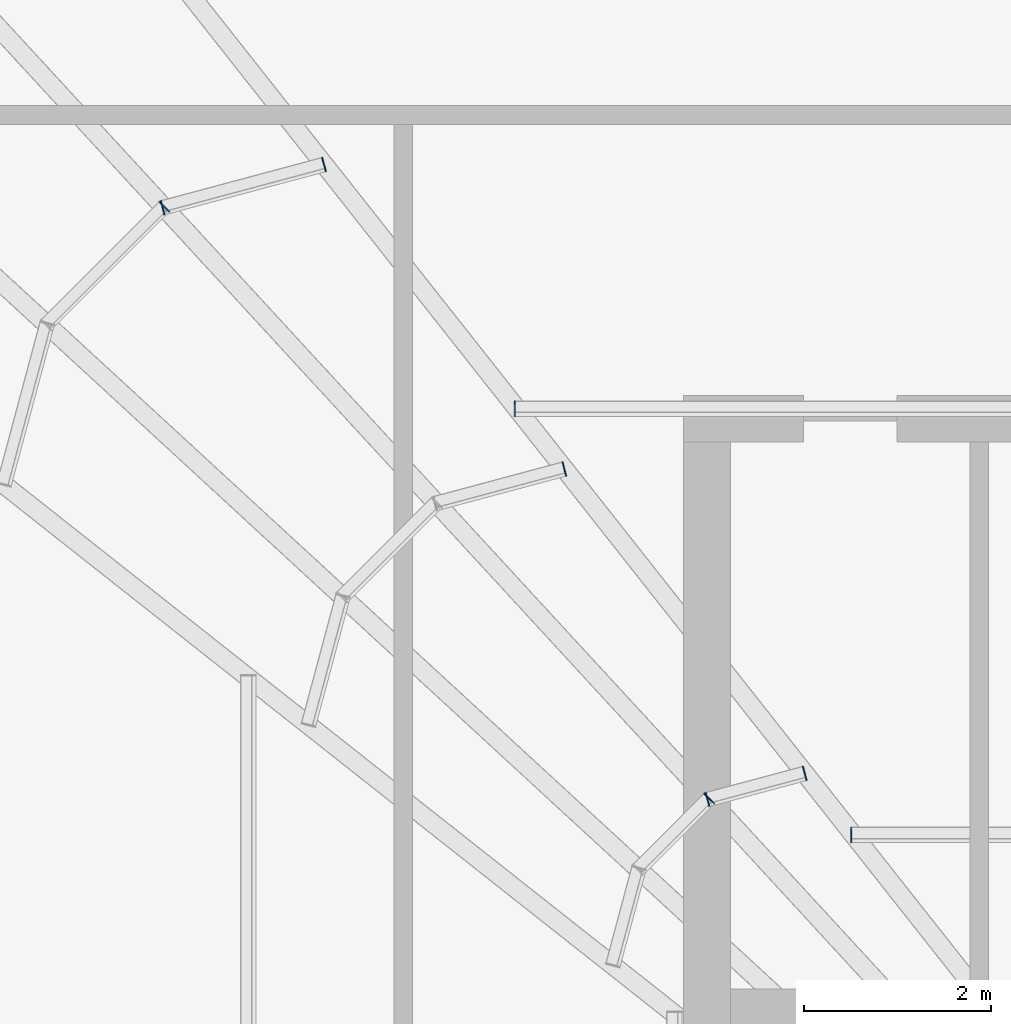
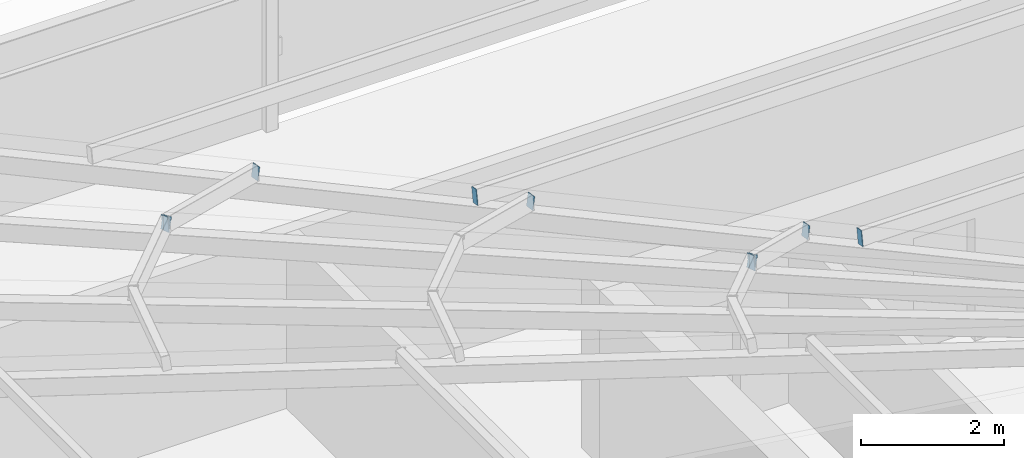
# One storey, part 36 of 46: 9 discrete accessories.
"""IFC4 building model written with IfcOpenShell, lengths in metres."""

from ifc_helpers import new_model, si_unit, direction, frame, origin, origin_2d, place, context, subcontext, project, spatial, rectangle, extrude, material, type_object, element, save


model = new_model("IFC4")

# Units and contexts
model_context = context("Model", 3, precision=1e-05, world=origin(), true_north=direction((0.0, 1.0)))
body_context = subcontext(model_context, "Body", "Model", "MODEL_VIEW")
ifc_project = project(units=[si_unit("LENGTHUNIT", "METRE"), si_unit("AREAUNIT", "SQUARE_METRE"), si_unit("VOLUMEUNIT", "CUBIC_METRE"), si_unit("PLANEANGLEUNIT", "RADIAN"), si_unit("MASSUNIT", "GRAM", prefix="KILO")], contexts=[model_context])

# Site, building, storey
site_placement = place(None, origin())
site = spatial("IfcSite", under=ifc_project, at=site_placement, CompositionType="ELEMENT")
building_placement = place(site_placement, origin())
building = spatial("IfcBuilding", under=site, at=building_placement, Name="Madar Terraces", CompositionType="ELEMENT")
storey_placement = place(building_placement, frame((0.0, 0.0, 317.300048828125)))
storey = spatial("IfcBuildingStorey", under=building, at=storey_placement, Name="L82", CompositionType="ELEMENT", Elevation=317.300048828125)

# Discrete accessories
ifc_material = material(Name="Steel plate ASTM A36, galvanised", Category="steel")
discrete_accessory_type = type_object("IfcDiscreteAccessoryType", Name="Hollow section end plate", PredefinedType="BRACKET", material=ifc_material)
for number, where, z_axis, x_axis, name in (
    (1, (13.199951171875, 37.657958984375, 5.029052734375), (-1.0, 0.0, 0.0), (0.0, -0.984957023705, 0.172799483372), "Hollow section end plate"),
    (2, (16.800048828125, 33.09814453125, 5.8291015625), (-1.0, 0.0, 0.0), (0.0, -0.984957023705, 0.172799483372), "Hollow section end plate"),
):
    element("IfcDiscreteAccessory", number, at=place(storey_placement, frame(where, z_axis=z_axis, x_axis=x_axis)), inside=storey, type_object=discrete_accessory_type, Name=name, PredefinedType="BRACKET", context=body_context, shape_type="SweptSolid", body=[
        extrude(rectangle(XDim=0.126953125, YDim=0.25390625, at=origin_2d()), origin(), (0.0, 0.0, 1.0), 0.011962890625),
    ])
discrete_accessory_1_placement = place(storey_placement, frame((11.147216796875, 40.269287109375, 4.5712890625), z_axis=(0.96522637192, 0.261415475728, 0.0), x_axis=(-0.259054806785, 0.956510055821, 0.13408624163)))
element("IfcDiscreteAccessory", 3, at=discrete_accessory_1_placement, inside=storey, type_object=discrete_accessory_type, Name="Hollow section end plate", PredefinedType="BRACKET", context=body_context, shape_type="SweptSolid", body=[
    extrude(rectangle(XDim=0.126953125, YDim=0.25390625, at=origin_2d()), origin(), (0.0, 0.0, 1.0), 0.01220703125),
])
for number, where, z_axis, x_axis, name in (
    (4, (9.432861328125, 39.809814453125, 4.5712890625), (-0.968917710624, -0.247383245266, 0.0), (0.245149292044, -0.960168060506, 0.13408624163), "Hollow section end plate"),
    (5, (13.71875, 37.01220703125, 5.142578125), (0.968917710624, 0.247383245266, 0.0), (-0.245149292044, 0.960168060506, 0.13408624163), "Hollow section end plate"),
):
    element("IfcDiscreteAccessory", number, at=place(storey_placement, frame(where, z_axis=z_axis, x_axis=x_axis)), inside=storey, type_object=discrete_accessory_type, Name=name, PredefinedType="BRACKET", context=body_context, shape_type="SweptSolid", body=[
        extrude(rectangle(XDim=0.126953125, YDim=0.25390625, at=origin_2d()), origin(), (0.0, 0.0, 1.0), 0.011962890625),
    ])
discrete_accessory_2_placement = place(storey_placement, frame((16.2900390625, 33.7548828125, 5.714111328125), z_axis=(0.96522637192, 0.261415475728, 0.0), x_axis=(-0.259054806785, 0.956510055821, 0.13408624163)))
element("IfcDiscreteAccessory", 6, at=discrete_accessory_2_placement, inside=storey, type_object=discrete_accessory_type, Name="Hollow section end plate", PredefinedType="BRACKET", context=body_context, shape_type="SweptSolid", body=[
    extrude(rectangle(XDim=0.126953125, YDim=0.25390625, at=origin_2d()), origin(), (0.0, 0.0, 1.0), 0.01220703125),
])
for number, where, z_axis, x_axis, name in (
    (7, (15.261474609375, 33.4794921875, 5.714111328125), (-0.963811120254, -0.266586054538, 0.0), (0.264178693544, -0.95510758435, 0.13408624163), "Hollow section end plate"),
    (8, (9.4404296875, 39.814453125, 4.571044921875), (0.707106781187, 0.707106781187, 0.0), (-0.700941463334, 0.700941463334, 0.131765435371), "Hollow section end plate"),
    (9, (15.26904296875, 33.48388671875, 5.7138671875), (0.696785684263, 0.717279380859, 0.0), (-0.711025367336, 0.69071035684, 0.131765435371), "Hollow section end plate"),
):
    element("IfcDiscreteAccessory", number, at=place(storey_placement, frame(where, z_axis=z_axis, x_axis=x_axis)), inside=storey, type_object=discrete_accessory_type, Name=name, PredefinedType="BRACKET", context=body_context, shape_type="SweptSolid", body=[
        extrude(rectangle(XDim=0.126953125, YDim=0.25390625, at=origin_2d()), origin(), (0.0, 0.0, 1.0), 0.011962890625),
    ])

save(model, "model.ifc")
